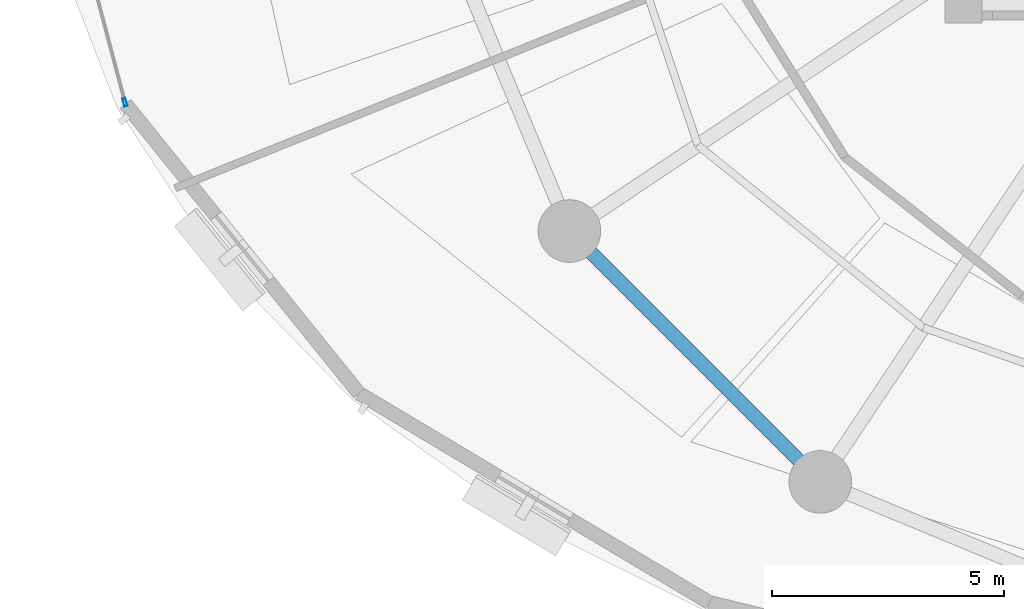
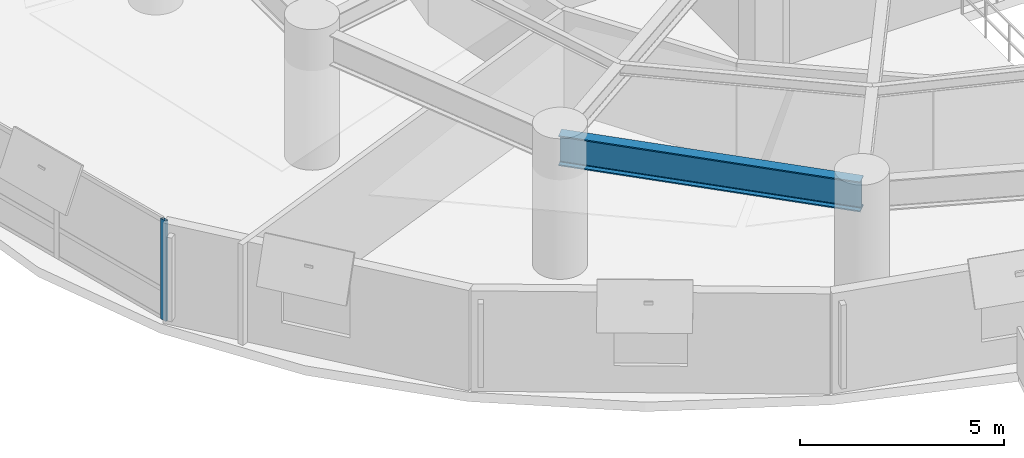
# One storey, part 2 of 15: 1 beam, 1 member, 1 element without a shape of its own.
"""IFC4 building model written with IfcOpenShell, lengths in metres."""

from ifc_helpers import new_model, si_unit, direction, frame, origin, origin_2d, place, context, subcontext, project, spatial, hollow_rectangle, i_section, extrude, material, layer, layer_set, material_profile, profile_set, type_object, element, aggregate, save


model = new_model("IFC4")

# Units and contexts
model_context = context("Model", 3, precision=1e-05, world=origin(), true_north=direction((0.0, 1.0)))
body_context = subcontext(model_context, "Body", "Model", "MODEL_VIEW")
ifc_project = project(units=[si_unit("LENGTHUNIT", "METRE"), si_unit("AREAUNIT", "SQUARE_METRE"), si_unit("VOLUMEUNIT", "CUBIC_METRE"), si_unit("PLANEANGLEUNIT", "RADIAN"), si_unit("MASSUNIT", "GRAM", prefix="KILO"), si_unit("THERMODYNAMICTEMPERATUREUNIT", "KELVIN"), si_unit("POWERUNIT", "WATT")], contexts=[model_context])

# Site, building, storey
site_placement = place(None, origin())
site = spatial("IfcSite", under=ifc_project, at=site_placement, CompositionType="ELEMENT")
building_placement = place(site_placement, origin())
building = spatial("IfcBuilding", under=site, at=building_placement, Name="Ocrelia Relay Tower", CompositionType="ELEMENT")
storey_placement = place(building_placement, frame((0.0, 0.0, 38.39990234375)))
storey = spatial("IfcBuildingStorey", under=building, at=storey_placement, Name="L08", CompositionType="ELEMENT", Elevation=38.39990234375)

# Beam
ifc_material_1 = material(Name="Steel S355", Category="steel")
ifc_material_profile_1 = material_profile(ifc_material_1, i_section(OverallWidth=0.300048828125, OverallDepth=0.89990234375, WebThickness=0.0185546875, FlangeThickness=0.034912109375, FilletRadius=0.030029296875, at=origin_2d()), Name="HEB 900")
ifc_profile_set_1 = profile_set([ifc_material_profile_1], Name="Steel S355")
beam_type = type_object("IfcBeamType", Name="BM-HEB900", PredefinedType="BEAM", material=ifc_profile_set_1)
beam_placement = place(storey_placement, frame((17.703125, 15.11083984375, 3.47021484375), z_axis=(0.707106781187, -0.707106781187, 0.0), x_axis=(0.707106781187, 0.707106781187, 0.0)))
element("IfcBeam", 1, at=beam_placement, inside=storey, type_object=beam_type, Name="L08 Perimeter Spandrel Beam S10", PredefinedType="BEAM", context=body_context, shape_type="SweptSolid", body=[
    extrude(i_section(OverallWidth=0.300048828125, OverallDepth=0.89990234375, WebThickness=0.0185546875, FlangeThickness=0.034912109375, FilletRadius=0.030029296875, at=origin_2d()), origin(), (0.0, 0.0, 1.0), 7.647705078125),
])

# Curtain wall, member
ifc_material_2 = material(Name="Aluminium and solar-control low-E glass", Category="aluminium")
ifc_layer = layer(ifc_material_2, 0.179931640625, Name="Aluminium and solar-control low-E glass")
ifc_layer_set = layer_set([ifc_layer], Name="Aluminium and solar-control low-E glass")
curtain_wall_type = type_object("IfcCurtainWallType", Name="CW-SYS-Z1-DATA", PredefinedType="NOTDEFINED", material=ifc_layer_set)
curtain_wall_placement = place(storey_placement, origin())
curtain_wall = element("IfcCurtainWall", 2, at=curtain_wall_placement, inside=storey, type_object=curtain_wall_type, Name="L08 Elliptical Tower Curtain Wall Bay 10", PredefinedType="NOTDEFINED")
ifc_material_3 = material(Name="Anodised bronze aluminium", Category="aluminium")
ifc_material_profile_2 = material_profile(ifc_material_3, hollow_rectangle(XDim=0.070068359375, YDim=0.179931640625, WallThickness=0.006103515625, at=origin_2d()), Name="CW-MUL-180x70")
ifc_profile_set_2 = profile_set([ifc_material_profile_2], Name="Anodised bronze aluminium")
member_type = type_object("IfcMemberType", Name="CW-SYS-Z1-DATA-MUL", PredefinedType="MULLION", material=ifc_profile_set_2)
member_placement = place(storey_placement, frame((8.12353515625, 17.88671875, 0.0), z_axis=(0.0, 0.0, 1.0), x_axis=(0.966557227104, 0.256451022093, 0.0)))
member = element("IfcMember", 3, at=member_placement, type_object=member_type, Name="CW-Z1 mullion 3", PredefinedType="MULLION", context=body_context, shape_type="SweptSolid", body=[
    extrude(hollow_rectangle(XDim=0.070068359375, YDim=0.179931640625, WallThickness=0.006103515625, at=origin_2d()), origin(), (0.0, 0.0, 1.0), 3.0),
])
aggregate(curtain_wall, [member])

save(model, "model.ifc")
